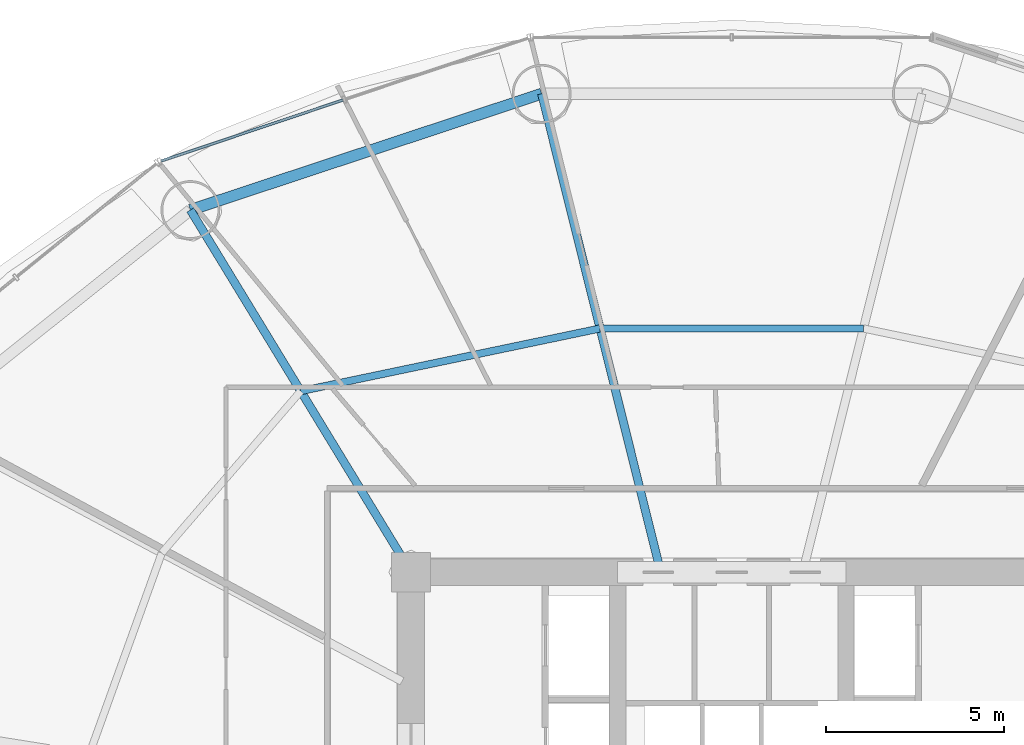
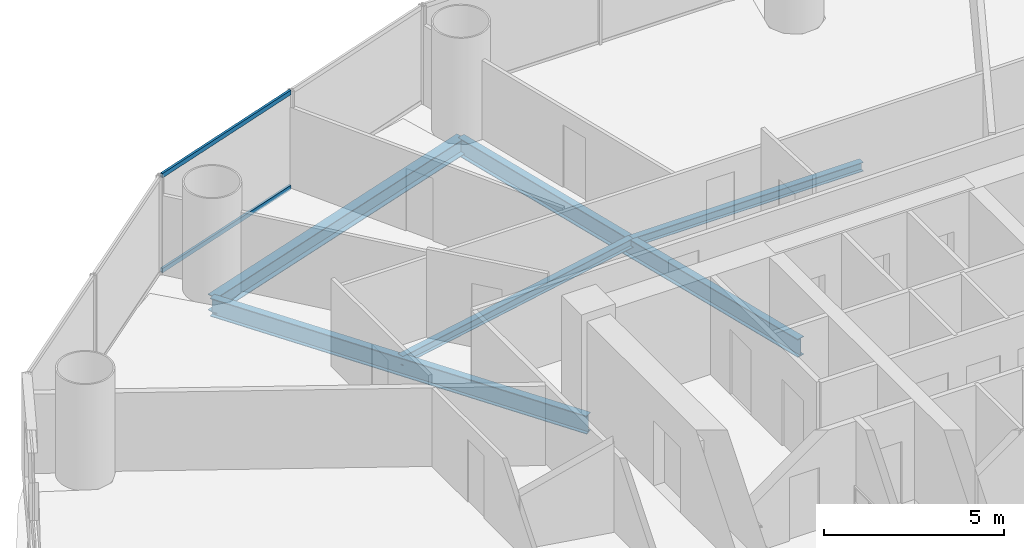
# One storey, part 16 of 29: 5 beams, 2 members, 1 element without a shape of its own.
"""IFC4 building model written with IfcOpenShell, lengths in metres."""

from ifc_helpers import new_model, si_unit, direction, frame, origin, origin_2d, place, context, subcontext, project, spatial, hollow_rectangle, i_section, extrude, source, transform, mapped, material, material_profile, profile_set, type_object, element, aggregate, save


model = new_model("IFC4")

# Units and contexts
model_context = context("Model", 3, precision=1e-05, world=origin(), true_north=direction((-0.2419218956, 0.970295726276)))
body_context = subcontext(model_context, "Body", "Model", "MODEL_VIEW")
ifc_project = project(units=[si_unit("LENGTHUNIT", "METRE"), si_unit("AREAUNIT", "SQUARE_METRE"), si_unit("VOLUMEUNIT", "CUBIC_METRE"), si_unit("PLANEANGLEUNIT", "RADIAN"), si_unit("MASSUNIT", "GRAM", prefix="KILO")], contexts=[model_context])

# Site, building, storey
site_placement = place(None, origin())
site = spatial("IfcSite", under=ifc_project, at=site_placement, CompositionType="ELEMENT")
building_placement = place(site_placement, origin())
building = spatial("IfcBuilding", under=site, at=building_placement, Name="Cobrevalo Terracotta Tower", CompositionType="ELEMENT")
storey_placement = place(building_placement, frame((0.0, 0.0, 49.199951171875)))
storey = spatial("IfcBuildingStorey", under=building, at=storey_placement, Name="L12", CompositionType="ELEMENT", Elevation=49.199951171875)

# Beams
ifc_material_1 = material(Name="Steel S355", Category="steel")
ifc_material_profile_1 = material_profile(ifc_material_1, i_section(OverallWidth=0.22998046875, OverallDepth=0.616943359375, WebThickness=0.01318359375, FlangeThickness=0.022216796875, at=origin_2d()), Name="W 610x140")
ifc_profile_set_1 = profile_set([ifc_material_profile_1], Name="Steel S355")
beam_type_1 = type_object("IfcBeamType", Name="Structural Beam W 610x140 (Steel S355)", PredefinedType="BEAM", material=ifc_profile_set_1)
beam_1_placement = place(storey_placement, frame((32.664306640625, 48.230224609375, -0.58837890625), z_axis=(0.241596254786, -0.970376859614, 0.0), x_axis=(0.970376859614, 0.241596254786, 0.0)))
element("IfcBeam", 1, at=beam_1_placement, inside=storey, type_object=beam_type_1, Name="L12 radial floor girder 05", PredefinedType="BEAM", context=body_context, shape_type="SweptSolid", body=[
    extrude(i_section(OverallWidth=0.22998046875, OverallDepth=0.616943359375, WebThickness=0.01318359375, FlangeThickness=0.022216796875, at=origin_2d()), origin(), (0.0, 0.0, 1.0), 13.577392578125),
])
beam_2_placement = place(storey_placement, frame((22.80517578125, 44.967529296875, -0.58837890625), z_axis=(0.520309892051, -0.853977526773, 0.0), x_axis=(0.853977526773, 0.520309892051, 0.0)))
element("IfcBeam", 2, at=beam_2_placement, inside=storey, type_object=beam_type_1, Name="L12 radial floor girder 06", PredefinedType="BEAM", context=body_context, shape_type="SweptSolid", body=[
    extrude(i_section(OverallWidth=0.22998046875, OverallDepth=0.616943359375, WebThickness=0.01318359375, FlangeThickness=0.022216796875, at=origin_2d()), origin(), (0.0, 0.0, 1.0), 11.906005859375),
])
ifc_material_profile_2 = material_profile(ifc_material_1, i_section(OverallWidth=0.2041015625, OverallDepth=0.305908203125, WebThickness=0.008544921875, FlangeThickness=0.0146484375, at=origin_2d()), Name="W 310x67")
ifc_profile_set_2 = profile_set([ifc_material_profile_2], Name="Steel S355")
beam_type_2 = type_object("IfcBeamType", Name="Structural Joist W 310x67 (Steel S355)", PredefinedType="JOIST", material=ifc_profile_set_2)
beam_3_placement = place(storey_placement, frame((41.695556640625, 41.642578125, -0.432861328125), z_axis=(-1.0, 0.0, 0.0), x_axis=(0.0, -1.0, 0.0)))
element("IfcBeam", 3, at=beam_3_placement, inside=storey, type_object=beam_type_2, Name="L12 circumferential secondary floor joist 04", PredefinedType="JOIST", context=body_context, shape_type="SweptSolid", body=[
    extrude(i_section(OverallWidth=0.2041015625, OverallDepth=0.305908203125, WebThickness=0.008544921875, FlangeThickness=0.0146484375, at=origin_2d()), origin(), (0.0, 0.0, 1.0), 7.39111328125),
])
beam_4_placement = place(storey_placement, frame((34.304443359375, 41.642578125, -0.432861328125), z_axis=(-0.978784523904, -0.204892302848, 0.0), x_axis=(0.204892302848, -0.978784523904, 0.0)))
element("IfcBeam", 4, at=beam_4_placement, inside=storey, type_object=beam_type_2, Name="L12 circumferential secondary floor joist 05", PredefinedType="JOIST", context=body_context, shape_type="SweptSolid", body=[
    extrude(i_section(OverallWidth=0.2041015625, OverallDepth=0.305908203125, WebThickness=0.008544921875, FlangeThickness=0.0146484375, at=origin_2d()), origin(), (0.0, 0.0, 1.0), 8.583984375),
])
ifc_material_profile_3 = material_profile(ifc_material_1, i_section(OverallWidth=0.31201171875, OverallDepth=0.54296875, WebThickness=0.0126953125, FlangeThickness=0.020263671875, at=origin_2d()), Name="W 530x150")
ifc_profile_set_3 = profile_set([ifc_material_profile_3], Name="Steel S355")
beam_type_3 = type_object("IfcBeamType", Name="Structural Spandrel W 530x150 (Steel S355)", PredefinedType="SPANDREL", material=ifc_profile_set_3)
beam_5_placement = place(storey_placement, frame((32.664306640625, 48.230224609375, -0.551513671875), z_axis=(-0.949365190876, -0.314174687638, 0.0), x_axis=(0.314174687638, -0.949365190876, 0.0)))
element("IfcBeam", 5, at=beam_5_placement, inside=storey, type_object=beam_type_3, Name="L12 perimeter ring spandrel 05", PredefinedType="SPANDREL", context=body_context, shape_type="SweptSolid", body=[
    extrude(i_section(OverallWidth=0.31201171875, OverallDepth=0.54296875, WebThickness=0.0126953125, FlangeThickness=0.020263671875, at=origin_2d()), origin(), (0.0, 0.0, 1.0), 10.385009765625),
])

# Curtain wall, members
ifc_material_2 = material(Name="Anodized aluminium", Category="aluminium")
curtain_wall_type = type_object("IfcCurtainWallType", Name="Lower-tower unitised acoustic low-E curtain wall CW-U1", PredefinedType="NOTDEFINED", material=ifc_material_2)
curtain_wall_placement = place(storey_placement, origin())
curtain_wall = element("IfcCurtainWall", 6, at=curtain_wall_placement, inside=storey, type_object=curtain_wall_type, Name="L12 curtain wall CW-L12-S05", PredefinedType="NOTDEFINED")
ifc_material_profile_4 = material_profile(ifc_material_2, hollow_rectangle(XDim=0.074951171875, YDim=0.14990234375, WallThickness=0.00439453125, at=origin_2d()), Name="CWT 75x150")
ifc_profile_set_4 = profile_set([ifc_material_profile_4], Name="Anodized aluminium")
member_type = type_object("IfcMemberType", Name="Tower unitised aluminium transom 75x150", PredefinedType="USERDEFINED", material=ifc_profile_set_4)
shared_shape = source(origin(), body_context, "Body", "SweptSolid", [
    extrude(hollow_rectangle(XDim=0.074951171875, YDim=0.14990234375, WallThickness=0.00439453125, at=origin_2d()), origin(), (0.0, 0.0, 1.0), 5.387939453125),
])
member_1_placement = place(storey_placement, frame((27.0888671875, 48.05419921875, 0.050048828125), z_axis=(-0.94804244582, -0.318143868278, 0.0), x_axis=(0.318143868278, -0.94804244582, 0.0)))
member_1 = element("IfcMember", 7, at=member_1_placement, type_object=member_type, Name="CW-L12-S05 transom B02-T1", ObjectType="TRANSOM", PredefinedType="USERDEFINED", context=body_context, shape_type="MappedRepresentation", body=[
    mapped(shared_shape, transform((0.0, 0.0, 0.0), scale=1.0)),
])
member_2_placement = place(storey_placement, frame((27.0888671875, 48.05419921875, 3.27001953125), z_axis=(-0.94804244582, -0.318143868278, 0.0), x_axis=(0.318143868278, -0.94804244582, 0.0)))
member_2 = element("IfcMember", 8, at=member_2_placement, type_object=member_type, Name="CW-L12-S05 transom B02-T2", ObjectType="TRANSOM", PredefinedType="USERDEFINED", context=body_context, shape_type="MappedRepresentation", body=[
    mapped(shared_shape, transform((0.0, 0.0, 0.0), scale=1.0)),
])
aggregate(curtain_wall, [member_1, member_2])

save(model, "model.ifc")
